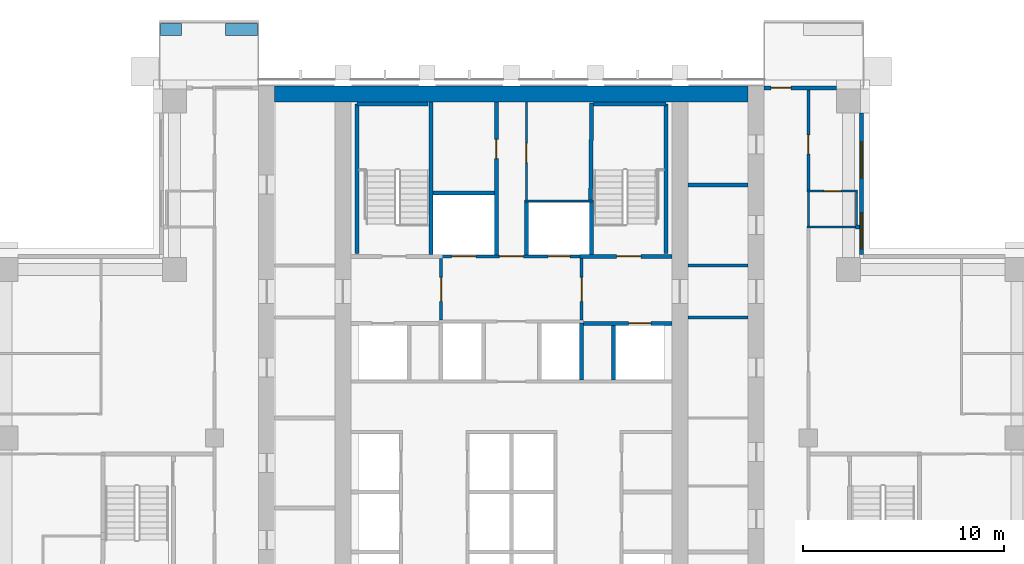
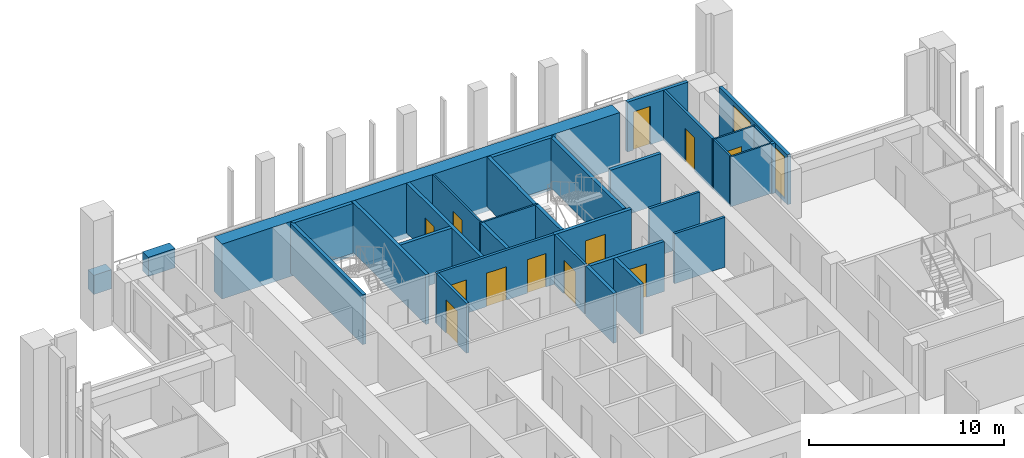
# One storey, part 13 of 19: 33 walls, 12 doors, 2 windows, 14 openings.
"""IFC4 building model written with IfcOpenShell, lengths in metres."""

from ifc_helpers import new_model, si_unit, direction, frame, frame_2d, origin, place, context, subcontext, project, spatial, rectangle, extrude, material, layer, layer_set, type_object, element, fill, save


model = new_model("IFC4")

# Units and contexts
model_context = context("Model", 3, precision=1e-05, world=origin(), true_north=direction((0.0, 1.0)))
body_context = subcontext(model_context, "Body", "Model", "MODEL_VIEW")
ifc_project = project(units=[si_unit("LENGTHUNIT", "METRE"), si_unit("AREAUNIT", "SQUARE_METRE"), si_unit("VOLUMEUNIT", "CUBIC_METRE"), si_unit("PLANEANGLEUNIT", "RADIAN"), si_unit("MASSUNIT", "GRAM", prefix="KILO")], contexts=[model_context])

# Site, building, storey
site_placement = place(None, origin())
site = spatial("IfcSite", under=ifc_project, at=site_placement, CompositionType="ELEMENT")
building_placement = place(site_placement, origin())
building = spatial("IfcBuilding", under=site, at=building_placement, Name="Vermilion Ogive Tower", CompositionType="ELEMENT")
storey_placement = place(building_placement, frame((0.0, 0.0, 90.75)))
storey = spatial("IfcBuildingStorey", under=building, at=storey_placement, Name="L22", CompositionType="ELEMENT", Elevation=90.75)

# Walls
ifc_material_1 = material(Name="Concrete B80", Category="concrete")
ifc_layer_1 = layer(ifc_material_1, 0.800048828125)
ifc_layer_set_1 = layer_set([ifc_layer_1], Name="Core wall 800 B80")
wall_type_1 = type_object("IfcWallType", Name="Core wall 800 B80", PredefinedType="SHEAR", material=ifc_layer_set_1)
wall_1_placement = place(storey_placement, frame((-11.800048828125, 21.35009765625, -0.320068359375), z_axis=(0.0, 0.0, 1.0), x_axis=(1.0, 0.0, 0.0)))
element("IfcWall", 1, at=wall_1_placement, inside=storey, type_object=wall_type_1, Name="L22-CORE-N", PredefinedType="SHEAR", context=body_context, shape_type="SweptSolid", body=[
    extrude(rectangle(XDim=23.60009765625, YDim=0.800048828125, at=frame_2d((11.800048828125, 0.0))), origin(), (0.0, 0.0, 1.0), 3.449951171875),
])
ifc_material_2 = material(Name="Gypsum board partition on steel studs", Category="steel")
ifc_layer_2 = layer(ifc_material_2, 0.10009765625)
ifc_layer_set_2 = layer_set([ifc_layer_2], Name="Partition 100 bath")
wall_type_2 = type_object("IfcWallType", Name="Partition 100 bath", PredefinedType="PARTITIONING", material=ifc_layer_set_2)
wall_2_placement = place(storey_placement, frame((14.72509765625, 14.699951171875, 0.0), z_axis=(0.0, 0.0, 1.0), x_axis=(1.0, 0.0, 0.0)))
element("IfcWall", 2, at=wall_2_placement, inside=storey, type_object=wall_type_2, Name="L22-W-W033", PredefinedType="PARTITIONING", context=body_context, shape_type="SweptSolid", body=[
    extrude(rectangle(XDim=2.52490234375, YDim=0.10009765625, at=frame_2d((1.262451171875, 0.0))), origin(), (0.0, 0.0, 1.0), 3.1298828125),
])

# Wall, opening, door
wall_3_placement = place(storey_placement, frame((14.72509765625, 16.5, 0.0), z_axis=(0.0, 0.0, 1.0), x_axis=(1.0, 0.0, 0.0)))
wall_3 = element("IfcWall", 3, at=wall_3_placement, inside=storey, type_object=wall_type_2, Name="L22-W-W036", PredefinedType="PARTITIONING", context=body_context, shape_type="SweptSolid", body=[
    extrude(rectangle(XDim=2.52490234375, YDim=0.10009765625, at=frame_2d((1.262451171875, 0.0))), origin(), (0.0, 0.0, 1.0), 3.1298828125),
])
opening_1_placement = place(wall_3_placement, frame((0.849853515625, 0.0, 0.0)))
opening_1 = element("IfcOpeningElement", 4, at=opening_1_placement, cuts=wall_3, Name="Opening D2G2021", PredefinedType="OPENING", context=body_context, shape_type="SweptSolid", body=[
    extrude(rectangle(XDim=0.85009765625, YDim=2.10009765625, at=frame_2d((0.425048828125, 1.050048828125))), frame((0.0, 0.06005859375, 0.0), z_axis=(0.0, -1.0, 0.0), x_axis=(1.0, 0.0, 0.0)), (0.0, 0.0, 1.0), 0.1201171875),
])
ifc_material_3 = material(Name="Timber door leaf", Category="wood")
door_type_1 = type_object("IfcDoorType", Name="Bath door 850 x 2100 FD30", OperationType="SINGLE_SWING_LEFT", PredefinedType="DOOR", material=ifc_material_3)
door_1_placement = place(opening_1_placement, origin())
door_1 = element("IfcDoor", 5, at=door_1_placement, inside=storey, type_object=door_type_1, Name="L22-D-D021", OperationType="SINGLE_SWING_RIGHT", OverallHeight=2.10009765625, OverallWidth=0.85009765625, PredefinedType="DOOR", context=body_context, shape_type="SweptSolid", body=[
    extrude(rectangle(XDim=0.85009765625, YDim=2.10009765625, at=frame_2d((0.425048828125, 1.050048828125))), frame((0.0, 0.02490234375, 0.0), z_axis=(0.0, -1.0, 0.0), x_axis=(1.0, 0.0, 0.0)), (0.0, 0.0, 1.0), 0.050048828125),
])
fill(opening_1, door_1)

# Walls
wall_4_placement = place(storey_placement, frame((14.800048828125, 14.75, 0.0), z_axis=(0.0, 0.0, 1.0), x_axis=(0.0, 1.0, 0.0)))
element("IfcWall", 6, at=wall_4_placement, inside=storey, type_object=wall_type_2, Name="L22-W-W059", PredefinedType="PARTITIONING", context=body_context, shape_type="SweptSolid", body=[
    extrude(rectangle(XDim=1.699951171875, YDim=0.10009765625, at=frame_2d((0.85009765625, 0.0))), origin(), (0.0, 0.0, 1.0), 3.1298828125),
])
wall_5_placement = place(storey_placement, frame((17.199951171875, 14.800048828125, 0.0), z_axis=(0.0, 0.0, 1.0), x_axis=(0.0, 1.0, 0.0)))
element("IfcWall", 7, at=wall_5_placement, inside=storey, type_object=wall_type_2, Name="L22-W-W062", PredefinedType="PARTITIONING", context=body_context, shape_type="SweptSolid", body=[
    extrude(rectangle(XDim=1.64990234375, YDim=0.10009765625, at=frame_2d((0.824951171875, 0.0))), origin(), (0.0, 0.0, 1.0), 3.1298828125),
])
wall_6_placement = place(storey_placement, frame((0.64990234375, 16.0, 0.0), z_axis=(0.0, 0.0, 1.0), x_axis=(1.0, 0.0, 0.0)))
element("IfcWall", 8, at=wall_6_placement, inside=storey, type_object=wall_type_2, Name="L22-CK-W-W020", PredefinedType="PARTITIONING", context=body_context, shape_type="SweptSolid", body=[
    extrude(rectangle(XDim=3.4501953125, YDim=0.10009765625, at=frame_2d((1.72509765625, 0.0))), origin(), (0.0, 0.0, 1.0), 3.1298828125),
])

# Wall, opening, door
wall_7_placement = place(storey_placement, frame((0.75, 16.050048828125, 0.0), z_axis=(0.0, 0.0, 1.0), x_axis=(0.0, 1.0, 0.0)))
wall_7 = element("IfcWall", 9, at=wall_7_placement, inside=storey, type_object=wall_type_2, Name="L22-CK-W-W032", PredefinedType="PARTITIONING", context=body_context, shape_type="SweptSolid", body=[
    extrude(rectangle(XDim=4.89892578125, YDim=0.10009765625, at=frame_2d((2.449462890625, 0.0))), origin(), (0.0, 0.0, 1.0), 3.1298828125),
])
opening_2_placement = place(wall_7_placement, frame((1.875, 0.0, 0.0)))
opening_2 = element("IfcOpeningElement", 10, at=opening_2_placement, cuts=wall_7, Name="Opening DAA169", PredefinedType="OPENING", context=body_context, shape_type="SweptSolid", body=[
    extrude(rectangle(XDim=0.949951171875, YDim=2.10009765625, at=frame_2d((0.47509765625, 1.050048828125))), frame((0.0, 0.06005859375, 0.0), z_axis=(0.0, -1.0, 0.0), x_axis=(1.0, 0.0, 0.0)), (0.0, 0.0, 1.0), 0.1201171875),
])
ifc_material_4 = material(Name="Timber door leaf", Category="wood")
door_type_2 = type_object("IfcDoorType", Name="Service door 950 x 2100 FD60", OperationType="SINGLE_SWING_LEFT", PredefinedType="DOOR", material=ifc_material_4)
door_2_placement = place(opening_2_placement, origin())
door_2 = element("IfcDoor", 11, at=door_2_placement, inside=storey, type_object=door_type_2, Name="L22-CK-D-D021", OperationType="SINGLE_SWING_LEFT", OverallHeight=2.10009765625, OverallWidth=0.949951171875, PredefinedType="DOOR", context=body_context, shape_type="SweptSolid", body=[
    extrude(rectangle(XDim=0.949951171875, YDim=2.10009765625, at=frame_2d((0.47509765625, 1.050048828125))), frame((0.0, 0.02490234375, 0.0), z_axis=(0.0, -1.0, 0.0), x_axis=(1.0, 0.0, 0.0)), (0.0, 0.0, 1.0), 0.050048828125),
])
fill(opening_2, door_2)

ifc_material_5 = material(Name="Gypsum board partition on steel studs", Category="steel")
ifc_layer_3 = layer(ifc_material_5, 0.14990234375)
ifc_layer_set_3 = layer_set([ifc_layer_3], Name="Partition 150 corridor")
wall_type_3 = type_object("IfcWallType", Name="Partition 150 corridor", PredefinedType="PARTITIONING", material=ifc_layer_set_3)
wall_8_placement = place(storey_placement, frame((14.800048828125, 16.550048828125, 0.0), z_axis=(0.0, 0.0, 1.0), x_axis=(0.0, 1.0, 0.0)))
wall_8 = element("IfcWall", 12, at=wall_8_placement, inside=storey, type_object=wall_type_3, Name="L22-W-W060", PredefinedType="PARTITIONING", context=body_context, shape_type="SweptSolid", body=[
    extrude(rectangle(XDim=5.0, YDim=0.14990234375, at=frame_2d((2.5, 0.0))), origin(), (0.0, 0.0, 1.0), 3.1298828125),
])
opening_3_placement = place(wall_8_placement, frame((1.800048828125, 0.0, 0.0)))
opening_3 = element("IfcOpeningElement", 13, at=opening_3_placement, cuts=wall_8, Name="Opening D2G2020", PredefinedType="OPENING", context=body_context, shape_type="SweptSolid", body=[
    extrude(rectangle(XDim=0.949951171875, YDim=2.10009765625, at=frame_2d((0.47509765625, 1.050048828125))), frame((0.0, 0.0849609375, 0.0), z_axis=(0.0, -1.0, 0.0), x_axis=(1.0, 0.0, 0.0)), (0.0, 0.0, 1.0), 0.169921875),
])
ifc_material_6 = material(Name="Timber door leaf", Category="wood")
door_type_3 = type_object("IfcDoorType", Name="Unit door 950 x 2100 FD30S", OperationType="SINGLE_SWING_LEFT", PredefinedType="DOOR", material=ifc_material_6)
door_3_placement = place(opening_3_placement, origin())
door_3 = element("IfcDoor", 14, at=door_3_placement, inside=storey, type_object=door_type_3, Name="L22-D-D020", OperationType="SINGLE_SWING_LEFT", OverallHeight=2.10009765625, OverallWidth=0.949951171875, PredefinedType="DOOR", context=body_context, shape_type="SweptSolid", body=[
    extrude(rectangle(XDim=0.949951171875, YDim=2.10009765625, at=frame_2d((0.47509765625, 1.050048828125))), frame((0.0, 0.02490234375, 0.0), z_axis=(0.0, -1.0, 0.0), x_axis=(1.0, 0.0, 0.0)), (0.0, 0.0, 1.0), 0.050048828125),
])
fill(opening_3, door_3)

# Wall, openings, doors
wall_9_placement = place(storey_placement, frame((-3.574951171875, 13.25, 0.0), z_axis=(0.0, 0.0, 1.0), x_axis=(1.0, 0.0, 0.0)))
wall_9 = element("IfcWall", 15, at=wall_9_placement, inside=storey, type_object=wall_type_3, Name="L22-CK-W-W018", PredefinedType="PARTITIONING", context=body_context, shape_type="SweptSolid", body=[
    extrude(rectangle(XDim=7.14990234375, YDim=0.14990234375, at=frame_2d((3.574951171875, 0.0))), origin(), (0.0, 0.0, 1.0), 3.1298828125),
])
opening_4_placement = place(wall_9_placement, frame((0.599853515625, 0.0, 0.0)))
opening_4 = element("IfcOpeningElement", 16, at=opening_4_placement, cuts=wall_9, Name="Opening DAA183", PredefinedType="OPENING", context=body_context, shape_type="SweptSolid", body=[
    extrude(rectangle(XDim=1.199951171875, YDim=2.10009765625, at=frame_2d((0.60009765625, 1.050048828125))), frame((0.0, 0.0849609375, 0.0), z_axis=(0.0, -1.0, 0.0), x_axis=(1.0, 0.0, 0.0)), (0.0, 0.0, 1.0), 0.169921875),
])
opening_5_placement = place(wall_9_placement, frame((5.39990234375, 0.0, 0.0)))
opening_5 = element("IfcOpeningElement", 17, at=opening_5_placement, cuts=wall_9, Name="Opening DAA174", PredefinedType="OPENING", context=body_context, shape_type="SweptSolid", body=[
    extrude(rectangle(XDim=1.10009765625, YDim=2.10009765625, at=frame_2d((0.550048828125, 1.050048828125))), frame((0.0, 0.0849609375, 0.0), z_axis=(0.0, -1.0, 0.0), x_axis=(1.0, 0.0, 0.0)), (0.0, 0.0, 1.0), 0.169921875),
])
opening_6_placement = place(wall_9_placement, frame((2.974853515625, 0.0, 0.0)))
opening_6 = element("IfcOpeningElement", 18, at=opening_6_placement, cuts=wall_9, Name="Opening DAA165", PredefinedType="OPENING", context=body_context, shape_type="SweptSolid", body=[
    extrude(rectangle(XDim=1.199951171875, YDim=2.10009765625, at=frame_2d((0.60009765625, 1.050048828125))), frame((0.0, 0.0849609375, 0.0), z_axis=(0.0, -1.0, 0.0), x_axis=(1.0, 0.0, 0.0)), (0.0, 0.0, 1.0), 0.169921875),
])
ifc_material_7 = material(Name="Stainless steel", Category="steel")
door_type_4 = type_object("IfcDoorType", Name="Lift landing door 1100 x 2100", OperationType="SLIDING_TO_LEFT", PredefinedType="DOOR", material=ifc_material_7)
door_4_placement = place(opening_5_placement, origin())
door_4 = element("IfcDoor", 19, at=door_4_placement, inside=storey, type_object=door_type_4, Name="L22-CK-D-D018", OperationType="SLIDING_TO_LEFT", OverallHeight=2.10009765625, OverallWidth=1.10009765625, PredefinedType="DOOR", context=body_context, shape_type="SweptSolid", body=[
    extrude(rectangle(XDim=1.10009765625, YDim=2.10009765625, at=frame_2d((0.550048828125, 1.050048828125))), frame((0.0, 0.02490234375, 0.0), z_axis=(0.0, -1.0, 0.0), x_axis=(1.0, 0.0, 0.0)), (0.0, 0.0, 1.0), 0.050048828125),
])
fill(opening_5, door_4)
ifc_material_8 = material(Name="Stainless steel", Category="steel")
door_type_5 = type_object("IfcDoorType", Name="Lift landing door 1200 x 2100", OperationType="SLIDING_TO_LEFT", PredefinedType="DOOR", material=ifc_material_8)
door_5_placement = place(opening_4_placement, origin())
door_5 = element("IfcDoor", 20, at=door_5_placement, inside=storey, type_object=door_type_5, Name="L22-CK-D-D017", OperationType="SLIDING_TO_RIGHT", OverallHeight=2.10009765625, OverallWidth=1.199951171875, PredefinedType="DOOR", context=body_context, shape_type="SweptSolid", body=[
    extrude(rectangle(XDim=1.199951171875, YDim=2.10009765625, at=frame_2d((0.60009765625, 1.050048828125))), frame((0.0, 0.02490234375, 0.0), z_axis=(0.0, -1.0, 0.0), x_axis=(1.0, 0.0, 0.0)), (0.0, 0.0, 1.0), 0.050048828125),
])
fill(opening_4, door_5)
ifc_material_9 = material(Name="Timber door leaf", Category="wood")
door_type_6 = type_object("IfcDoorType", Name="Service door 1200 x 2100 FD60", OperationType="SINGLE_SWING_LEFT", PredefinedType="DOOR", material=ifc_material_9)
door_6_placement = place(opening_6_placement, origin())
door_6 = element("IfcDoor", 21, at=door_6_placement, inside=storey, type_object=door_type_6, Name="L22-CK-D-D019", OperationType="SINGLE_SWING_RIGHT", OverallHeight=2.10009765625, OverallWidth=1.199951171875, PredefinedType="DOOR", context=body_context, shape_type="SweptSolid", body=[
    extrude(rectangle(XDim=1.199951171875, YDim=2.10009765625, at=frame_2d((0.60009765625, 1.050048828125))), frame((0.0, 0.02490234375, 0.0), z_axis=(0.0, -1.0, 0.0), x_axis=(1.0, 0.0, 0.0)), (0.0, 0.0, 1.0), 0.050048828125),
])
fill(opening_6, door_6)

# Wall, opening, door
wall_10_placement = place(storey_placement, frame((-3.5, 10.074951171875, 0.0), z_axis=(0.0, 0.0, 1.0), x_axis=(0.0, 1.0, 0.0)))
wall_10 = element("IfcWall", 22, at=wall_10_placement, inside=storey, type_object=wall_type_3, Name="L22-CK-W-W026", PredefinedType="PARTITIONING", context=body_context, shape_type="SweptSolid", body=[
    extrude(rectangle(XDim=3.074951171875, YDim=0.14990234375, at=frame_2d((1.53759765625, 0.0))), origin(), (0.0, 0.0, 1.0), 3.1298828125),
])
opening_7_placement = place(wall_10_placement, frame((0.925048828125, 0.0, 0.0)))
opening_7 = element("IfcOpeningElement", 23, at=opening_7_placement, cuts=wall_10, Name="Opening DAA161", PredefinedType="OPENING", context=body_context, shape_type="SweptSolid", body=[
    extrude(rectangle(XDim=1.199951171875, YDim=2.10009765625, at=frame_2d((0.60009765625, 1.050048828125))), frame((0.0, 0.0849609375, 0.0), z_axis=(0.0, -1.0, 0.0), x_axis=(1.0, 0.0, 0.0)), (0.0, 0.0, 1.0), 0.169921875),
])
ifc_material_10 = material(Name="Timber door leaf", Category="wood")
door_type_7 = type_object("IfcDoorType", Name="Lobby door 1200 x 2100 FD60S", OperationType="SINGLE_SWING_LEFT", PredefinedType="DOOR", material=ifc_material_10)
door_7_placement = place(opening_7_placement, origin())
door_7 = element("IfcDoor", 24, at=door_7_placement, inside=storey, type_object=door_type_7, Name="L22-CK-D-D022", OperationType="SINGLE_SWING_RIGHT", OverallHeight=2.10009765625, OverallWidth=1.199951171875, PredefinedType="DOOR", context=body_context, shape_type="SweptSolid", body=[
    extrude(rectangle(XDim=1.199951171875, YDim=2.10009765625, at=frame_2d((0.60009765625, 1.050048828125))), frame((0.0, 0.02490234375, 0.0), z_axis=(0.0, -1.0, 0.0), x_axis=(1.0, 0.0, 0.0)), (0.0, 0.0, 1.0), 0.050048828125),
])
fill(opening_7, door_7)

wall_11_placement = place(storey_placement, frame((3.5, 10.074951171875, 0.0), z_axis=(0.0, 0.0, 1.0), x_axis=(0.0, 1.0, 0.0)))
wall_11 = element("IfcWall", 25, at=wall_11_placement, inside=storey, type_object=wall_type_3, Name="L22-CK-W-W036", PredefinedType="PARTITIONING", context=body_context, shape_type="SweptSolid", body=[
    extrude(rectangle(XDim=3.074951171875, YDim=0.14990234375, at=frame_2d((1.53759765625, 0.0))), origin(), (0.0, 0.0, 1.0), 3.1298828125),
])
opening_8_placement = place(wall_11_placement, frame((0.925048828125, 0.0, 0.0)))
opening_8 = element("IfcOpeningElement", 26, at=opening_8_placement, cuts=wall_11, Name="Opening DAA162", PredefinedType="OPENING", context=body_context, shape_type="SweptSolid", body=[
    extrude(rectangle(XDim=1.199951171875, YDim=2.10009765625, at=frame_2d((0.60009765625, 1.050048828125))), frame((0.0, 0.0849609375, 0.0), z_axis=(0.0, -1.0, 0.0), x_axis=(1.0, 0.0, 0.0)), (0.0, 0.0, 1.0), 0.169921875),
])
door_8_placement = place(opening_8_placement, origin())
door_8 = element("IfcDoor", 27, at=door_8_placement, inside=storey, type_object=door_type_7, Name="L22-CK-D-D023", OperationType="SINGLE_SWING_LEFT", OverallHeight=2.10009765625, OverallWidth=1.199951171875, PredefinedType="DOOR", context=body_context, shape_type="SweptSolid", body=[
    extrude(rectangle(XDim=1.199951171875, YDim=2.10009765625, at=frame_2d((0.60009765625, 1.050048828125))), frame((0.0, 0.02490234375, 0.0), z_axis=(0.0, -1.0, 0.0), x_axis=(1.0, 0.0, 0.0)), (0.0, 0.0, 1.0), 0.050048828125),
])
fill(opening_8, door_8)

# Walls
for number, where, z_axis, x_axis, name in (
    (28, (8.801025390625, 10.199951171875, 0.0), (0.0, 0.0, 1.0), (1.0, 0.0, 0.0), "L22-CKE-W-W004"),
    (29, (8.801025390625, 12.800048828125, 0.0), (0.0, 0.0, 1.0), (1.0, 0.0, 0.0), "L22-CKE-W-W005"),
):
    element("IfcWall", number, at=place(storey_placement, frame(where, z_axis=z_axis, x_axis=x_axis)), inside=storey, type_object=wall_type_3, Name=name, PredefinedType="PARTITIONING", context=body_context, shape_type="SweptSolid", body=[
        extrude(rectangle(XDim=2.998046875, YDim=0.14990234375, at=frame_2d((1.4990234375, 0.0))), origin(), (0.0, 0.0, 1.0), 3.1298828125),
    ])
ifc_material_11 = material(Name="Gypsum board partition on steel studs", Category="steel")
ifc_layer_4 = layer(ifc_material_11, 0.199951171875)
ifc_layer_set_4 = layer_set([ifc_layer_4], Name="Partition 200 party")
wall_type_4 = type_object("IfcWallType", Name="Partition 200 party", PredefinedType="PARTITIONING", material=ifc_layer_set_4)
wall_12_placement = place(storey_placement, frame((17.14990234375, 14.699951171875, 0.0), z_axis=(0.0, 0.0, 1.0), x_axis=(1.0, 0.0, 0.0)))
element("IfcWall", 30, at=wall_12_placement, inside=storey, type_object=wall_type_4, Name="L22-W-W034", PredefinedType="PARTITIONING", context=body_context, shape_type="SweptSolid", body=[
    extrude(rectangle(XDim=0.2001953125, YDim=0.199951171875, at=frame_2d((0.10009765625, 0.0))), origin(), (0.0, 0.0, 1.0), 3.1298828125),
])

# Wall, opening, door
wall_13_placement = place(storey_placement, frame((3.60009765625, 9.89990234375, 0.0), z_axis=(0.0, 0.0, 1.0), x_axis=(1.0, 0.0, 0.0)))
wall_13 = element("IfcWall", 31, at=wall_13_placement, inside=storey, type_object=wall_type_4, Name="L22-CK-W-W015", PredefinedType="PARTITIONING", context=body_context, shape_type="SweptSolid", body=[
    extrude(rectangle(XDim=4.39892578125, YDim=0.199951171875, at=frame_2d((2.199462890625, 0.0))), origin(), (0.0, 0.0, 1.0), 3.1298828125),
])
opening_9_placement = place(wall_13_placement, frame((2.25, 0.0, 0.0)))
opening_9 = element("IfcOpeningElement", 32, at=opening_9_placement, cuts=wall_13, Name="Opening DAA173", PredefinedType="OPENING", context=body_context, shape_type="SweptSolid", body=[
    extrude(rectangle(XDim=1.10009765625, YDim=2.10009765625, at=frame_2d((0.550048828125, 1.050048828125))), frame((0.0, 0.10986328125, 0.0), z_axis=(0.0, -1.0, 0.0), x_axis=(1.0, 0.0, 0.0)), (0.0, 0.0, 1.0), 0.219970703125),
])
door_9_placement = place(opening_9_placement, origin())
door_9 = element("IfcDoor", 33, at=door_9_placement, inside=storey, type_object=door_type_4, Name="L22-CK-D-D014", OperationType="SLIDING_TO_LEFT", OverallHeight=2.10009765625, OverallWidth=1.10009765625, PredefinedType="DOOR", context=body_context, shape_type="SweptSolid", body=[
    extrude(rectangle(XDim=1.10009765625, YDim=2.10009765625, at=frame_2d((0.550048828125, 1.050048828125))), frame((0.0, 0.02490234375, 0.0), z_axis=(0.0, -1.0, 0.0), x_axis=(1.0, 0.0, 0.0)), (0.0, 0.0, 1.0), 0.050048828125),
])
fill(opening_9, door_9)

# Wall
wall_14_placement = place(storey_placement, frame((-3.89990234375, 16.39990234375, 0.0), z_axis=(0.0, 0.0, 1.0), x_axis=(1.0, 0.0, 0.0)))
element("IfcWall", 34, at=wall_14_placement, inside=storey, type_object=wall_type_4, Name="L22-CK-W-W021", PredefinedType="PARTITIONING", context=body_context, shape_type="SweptSolid", body=[
    extrude(rectangle(XDim=3.0498046875, YDim=0.199951171875, at=frame_2d((1.52490234375, 0.0))), origin(), (0.0, 0.0, 1.0), 3.1298828125),
])

# Wall, opening, door
wall_15_placement = place(storey_placement, frame((-0.75, 13.324951171875, 0.0), z_axis=(0.0, 0.0, 1.0), x_axis=(0.0, 1.0, 0.0)))
wall_15 = element("IfcWall", 35, at=wall_15_placement, inside=storey, type_object=wall_type_4, Name="L22-CK-W-W029", PredefinedType="PARTITIONING", context=body_context, shape_type="SweptSolid", body=[
    extrude(rectangle(XDim=7.6240234375, YDim=0.199951171875, at=frame_2d((3.81201171875, 0.0))), origin(), (0.0, 0.0, 1.0), 3.1298828125),
])
opening_10_placement = place(wall_15_placement, frame((4.800048828125, 0.0, 0.0)))
opening_10 = element("IfcOpeningElement", 36, at=opening_10_placement, cuts=wall_15, Name="Opening DAA168", PredefinedType="OPENING", context=body_context, shape_type="SweptSolid", body=[
    extrude(rectangle(XDim=0.949951171875, YDim=2.10009765625, at=frame_2d((0.47509765625, 1.050048828125))), frame((0.0, 0.10986328125, 0.0), z_axis=(0.0, -1.0, 0.0), x_axis=(1.0, 0.0, 0.0)), (0.0, 0.0, 1.0), 0.219970703125),
])
door_10_placement = place(opening_10_placement, origin())
door_10 = element("IfcDoor", 37, at=door_10_placement, inside=storey, type_object=door_type_2, Name="L22-CK-D-D020", OperationType="SINGLE_SWING_RIGHT", OverallHeight=2.10009765625, OverallWidth=0.949951171875, PredefinedType="DOOR", context=body_context, shape_type="SweptSolid", body=[
    extrude(rectangle(XDim=0.949951171875, YDim=2.10009765625, at=frame_2d((0.47509765625, 1.050048828125))), frame((0.0, 0.02490234375, 0.0), z_axis=(0.0, -1.0, 0.0), x_axis=(1.0, 0.0, 0.0)), (0.0, 0.0, 1.0), 0.050048828125),
])
fill(opening_10, door_10)

# Walls
wall_16_placement = place(storey_placement, frame((0.75, 13.324951171875, 0.0), z_axis=(0.0, 0.0, 1.0), x_axis=(0.0, 1.0, 0.0)))
element("IfcWall", 38, at=wall_16_placement, inside=storey, type_object=wall_type_4, Name="L22-CK-W-W031", PredefinedType="PARTITIONING", context=body_context, shape_type="SweptSolid", body=[
    extrude(rectangle(XDim=2.625, YDim=0.199951171875, at=frame_2d((1.3125, 0.0))), origin(), (0.0, 0.0, 1.0), 3.1298828125),
])
wall_17_placement = place(storey_placement, frame((3.5, 7.074951171875, 0.0), z_axis=(0.0, 0.0, 1.0), x_axis=(0.0, 1.0, 0.0)))
element("IfcWall", 39, at=wall_17_placement, inside=storey, type_object=wall_type_4, Name="L22-CK-W-W035", PredefinedType="PARTITIONING", context=body_context, shape_type="SweptSolid", body=[
    extrude(rectangle(XDim=2.85009765625, YDim=0.199951171875, at=frame_2d((1.425048828125, 0.0))), origin(), (0.0, 0.0, 1.0), 3.1298828125),
])
wall_18_placement = place(storey_placement, frame((5.10009765625, 7.074951171875, 0.0), z_axis=(0.0, 0.0, 1.0), x_axis=(0.0, 1.0, 0.0)))
element("IfcWall", 40, at=wall_18_placement, inside=storey, type_object=wall_type_4, Name="L22-CK-W-W039", PredefinedType="PARTITIONING", context=body_context, shape_type="SweptSolid", body=[
    extrude(rectangle(XDim=2.72509765625, YDim=0.199951171875, at=frame_2d((1.362548828125, 0.0))), origin(), (0.0, 0.0, 1.0), 3.1298828125),
])
wall_19_placement = place(storey_placement, frame((8.801025390625, 16.800048828125, 0.0), z_axis=(0.0, 0.0, 1.0), x_axis=(1.0, 0.0, 0.0)))
element("IfcWall", 41, at=wall_19_placement, inside=storey, type_object=wall_type_4, Name="L22-CKE-W-W006", PredefinedType="PARTITIONING", context=body_context, shape_type="SweptSolid", body=[
    extrude(rectangle(XDim=2.998046875, YDim=0.199951171875, at=frame_2d((1.4990234375, 0.0))), origin(), (0.0, 0.0, 1.0), 3.1298828125),
])

# Wall, opening, door
ifc_material_12 = material(Name="Concrete B60", Category="concrete")
ifc_layer_5 = layer(ifc_material_12, 0.199951171875)
ifc_layer_set_5 = layer_set([ifc_layer_5], Name="Stair shaft wall 200 Concrete B60")
wall_type_5 = type_object("IfcWallType", Name="Stair shaft wall 200 Concrete B60", PredefinedType="SOLIDWALL", material=ifc_layer_set_5)
wall_20_placement = place(storey_placement, frame((3.425048828125, 13.25, 0.0), z_axis=(0.0, 0.0, 1.0), x_axis=(1.0, 0.0, 0.0)))
wall_20 = element("IfcWall", 42, at=wall_20_placement, inside=storey, type_object=wall_type_5, Name="L22-CK-W-W019", PredefinedType="SOLIDWALL", context=body_context, shape_type="SweptSolid", body=[
    extrude(rectangle(XDim=4.573974609375, YDim=0.199951171875, at=frame_2d((2.287109375, 0.0))), origin(), (0.0, 0.0, 1.0), 3.1298828125),
])
opening_11_placement = place(wall_20_placement, frame((1.824951171875, 0.0, 0.0)))
opening_11 = element("IfcOpeningElement", 43, at=opening_11_placement, cuts=wall_20, Name="Opening DAA171", PredefinedType="OPENING", context=body_context, shape_type="SweptSolid", body=[
    extrude(rectangle(XDim=1.199951171875, YDim=2.10009765625, at=frame_2d((0.60009765625, 1.050048828125))), frame((0.0, 0.10986328125, 0.0), z_axis=(0.0, -1.0, 0.0), x_axis=(1.0, 0.0, 0.0)), (0.0, 0.0, 1.0), 0.219970703125),
])
ifc_material_13 = material(Name="Timber door leaf", Category="wood")
door_type_8 = type_object("IfcDoorType", Name="Stair door 1200 x 2100 FD60S", OperationType="SINGLE_SWING_LEFT", PredefinedType="DOOR", material=ifc_material_13)
door_11_placement = place(opening_11_placement, origin())
door_11 = element("IfcDoor", 44, at=door_11_placement, inside=storey, type_object=door_type_8, Name="L22-CK-D-D013", OperationType="SINGLE_SWING_RIGHT", OverallHeight=2.10009765625, OverallWidth=1.199951171875, PredefinedType="DOOR", context=body_context, shape_type="SweptSolid", body=[
    extrude(rectangle(XDim=1.199951171875, YDim=2.10009765625, at=frame_2d((0.60009765625, 1.050048828125))), frame((0.0, 0.02490234375, 0.0), z_axis=(0.0, -1.0, 0.0), x_axis=(1.0, 0.0, 0.0)), (0.0, 0.0, 1.0), 0.050048828125),
])
fill(opening_11, door_11)

# Walls
wall_21_placement = place(storey_placement, frame((-4.0, 13.35009765625, 0.0), z_axis=(0.0, 0.0, 1.0), x_axis=(0.0, 1.0, 0.0)))
element("IfcWall", 45, at=wall_21_placement, inside=storey, type_object=wall_type_5, Name="L22-CK-W-W024", PredefinedType="SOLIDWALL", context=body_context, shape_type="SweptSolid", body=[
    extrude(rectangle(XDim=7.598876953125, YDim=0.199951171875, at=frame_2d((3.79931640625, 0.0))), origin(), (0.0, 0.0, 1.0), 3.1298828125),
])
wall_22_placement = place(storey_placement, frame((4.0, 13.35009765625, 0.0), z_axis=(0.0, 0.0, 1.0), x_axis=(0.0, 1.0, 0.0)))
element("IfcWall", 46, at=wall_22_placement, inside=storey, type_object=wall_type_5, Name="L22-CK-W-W037", PredefinedType="SOLIDWALL", context=body_context, shape_type="SweptSolid", body=[
    extrude(rectangle(XDim=2.599853515625, YDim=0.199951171875, at=frame_2d((1.2998046875, 0.0))), origin(), (0.0, 0.0, 1.0), 3.1298828125),
])
wall_23_placement = place(storey_placement, frame((3.949951171875, 16.050048828125, 0.0), z_axis=(0.0, 0.0, 1.0), x_axis=(0.01032118628, 0.999946735138, 0.0)))
element("IfcWall", 47, at=wall_23_placement, inside=storey, type_object=wall_type_5, Name="L22-CK-W-W038", PredefinedType="SOLIDWALL", context=body_context, shape_type="SweptSolid", body=[
    extrude(rectangle(XDim=4.84912109375, YDim=0.199951171875, at=frame_2d((2.424560546875, 0.0))), origin(), (0.0, 0.0, 1.0), 3.1298828125),
])
wall_24_placement = place(storey_placement, frame((-7.699951171875, 13.39990234375, 0.0), z_axis=(0.0, 0.0, 1.0), x_axis=(0.0, 1.0, 0.0)))
element("IfcWall", 48, at=wall_24_placement, inside=storey, type_object=wall_type_5, Name="L22-SW-R021-W1", PredefinedType="SOLIDWALL", context=body_context, shape_type="SweptSolid", body=[
    extrude(rectangle(XDim=7.4501953125, YDim=0.199951171875, at=frame_2d((3.72509765625, 0.0))), origin(), (0.0, 0.0, 1.0), 3.1298828125),
])
wall_25_placement = place(storey_placement, frame((-7.699951171875, 20.85009765625, 0.0), z_axis=(0.0, 0.0, 1.0), x_axis=(1.0, 0.0, 0.0)))
element("IfcWall", 49, at=wall_25_placement, inside=storey, type_object=wall_type_5, Name="L22-SW-R021-N1", PredefinedType="SOLIDWALL", context=body_context, shape_type="SweptSolid", body=[
    extrude(rectangle(XDim=3.550048828125, YDim=0.199951171875, at=frame_2d((1.77490234375, 0.0))), origin(), (0.0, 0.0, 1.0), 3.1298828125),
])
wall_26_placement = place(storey_placement, frame((7.699951171875, 13.39990234375, 0.0), z_axis=(0.0, 0.0, 1.0), x_axis=(0.0, 1.0, 0.0)))
element("IfcWall", 50, at=wall_26_placement, inside=storey, type_object=wall_type_5, Name="L22-SW-R025-E1", PredefinedType="SOLIDWALL", context=body_context, shape_type="SweptSolid", body=[
    extrude(rectangle(XDim=7.4501953125, YDim=0.199951171875, at=frame_2d((3.72509765625, 0.0))), origin(), (0.0, 0.0, 1.0), 3.1298828125),
])
wall_27_placement = place(storey_placement, frame((4.10009765625, 20.85009765625, 0.0), z_axis=(0.0, 0.0, 1.0), x_axis=(1.0, 0.0, 0.0)))
element("IfcWall", 51, at=wall_27_placement, inside=storey, type_object=wall_type_5, Name="L22-SW-R025-N1", PredefinedType="SOLIDWALL", context=body_context, shape_type="SweptSolid", body=[
    extrude(rectangle(XDim=3.599853515625, YDim=0.199951171875, at=frame_2d((1.7998046875, 0.0))), origin(), (0.0, 0.0, 1.0), 3.1298828125),
])
ifc_material_14 = material(Name="Concrete B40", Category="concrete")
ifc_layer_6 = layer(ifc_material_14, 0.60009765625)
ifc_layer_set_6 = layer_set([ifc_layer_6], Name="Structural planter")
wall_type_6 = type_object("IfcWallType", Name="Structural planter", PredefinedType="USERDEFINED", material=ifc_layer_set_6)
wall_28_placement = place(storey_placement, frame((-12.659912109375, 24.550048828125, -0.0400390625), z_axis=(0.0, 0.0, 1.0), x_axis=(-1.0, 0.0, 0.0)))
element("IfcWall", 52, at=wall_28_placement, inside=storey, type_object=wall_type_6, Name="Planter N201A1", ObjectType="PLANTER", PredefinedType="USERDEFINED", context=body_context, shape_type="SweptSolid", body=[
    extrude(rectangle(XDim=1.590087890625, YDim=0.60009765625, at=frame_2d((0.794921875, 0.0))), origin(), (0.0, 0.0, 1.0), 1.199951171875),
])
wall_29_placement = place(storey_placement, frame((-16.449951171875, 24.550048828125, -0.0400390625), z_axis=(0.0, 0.0, 1.0), x_axis=(-1.0, 0.0, 0.0)))
element("IfcWall", 53, at=wall_29_placement, inside=storey, type_object=wall_type_6, Name="Planter N201A2", ObjectType="PLANTER", PredefinedType="USERDEFINED", context=body_context, shape_type="SweptSolid", body=[
    extrude(rectangle(XDim=1.0400390625, YDim=0.60009765625, at=frame_2d((0.52001953125, 0.0))), origin(), (0.0, 0.0, 1.0), 1.199951171875),
])

# Wall, openings, windows
ifc_material_15 = material(Name="Aluminium window wall framing", Category="aluminium")
ifc_layer_7 = layer(ifc_material_15, 0.199951171875)
ifc_layer_set_7 = layer_set([ifc_layer_7], Name="Window wall")
wall_type_7 = type_object("IfcWallType", Name="Window wall", PredefinedType="STANDARD", material=ifc_layer_set_7)
wall_30_placement = place(storey_placement, frame((17.449951171875, 13.35009765625, 0.0), z_axis=(0.0, 0.0, 1.0), x_axis=(0.0, 1.0, 0.0)))
wall_30 = element("IfcWall", 54, at=wall_30_placement, inside=storey, type_object=wall_type_7, Name="Window wall X41", PredefinedType="STANDARD", context=body_context, shape_type="SweptSolid", body=[
    extrude(rectangle(XDim=7.0498046875, YDim=0.199951171875, at=frame_2d((3.52490234375, 0.0))), origin(), (0.0, 0.0, 1.0), 3.1298828125),
])
opening_12_placement = place(wall_30_placement, frame((0.27490234375, 0.0, 0.199951171875)))
opening_12 = element("IfcOpeningElement", 55, at=opening_12_placement, cuts=wall_30, Name="Opening W1-X403", PredefinedType="OPENING", context=body_context, shape_type="SweptSolid", body=[
    extrude(rectangle(XDim=1.800048828125, YDim=2.64990234375, at=frame_2d((0.89990234375, 1.324951171875))), frame((0.0, 0.10986328125, 0.0), z_axis=(0.0, -1.0, 0.0), x_axis=(1.0, 0.0, 0.0)), (0.0, 0.0, 1.0), 0.219970703125),
])
opening_13_placement = place(wall_30_placement, frame((3.800048828125, 0.0, 0.199951171875)))
opening_13 = element("IfcOpeningElement", 56, at=opening_13_placement, cuts=wall_30, Name="Opening W1-X404", PredefinedType="OPENING", context=body_context, shape_type="SweptSolid", body=[
    extrude(rectangle(XDim=1.800048828125, YDim=2.64990234375, at=frame_2d((0.89990234375, 1.324951171875))), frame((0.0, 0.10986328125, 0.0), z_axis=(0.0, -1.0, 0.0), x_axis=(1.0, 0.0, 0.0)), (0.0, 0.0, 1.0), 0.219970703125),
])
ifc_material_16 = material(Name="Aluminium framed double glazing", Category="aluminium")
window_type = type_object("IfcWindowType", Name="Guest window W1", PartitioningType="SINGLE_PANEL", PredefinedType="WINDOW", material=ifc_material_16)
window_1_placement = place(opening_12_placement, origin())
window_1 = element("IfcWindow", 57, at=window_1_placement, inside=storey, type_object=window_type, Name="Window X403", OverallHeight=2.64990234375, OverallWidth=1.800048828125, PartitioningType="SINGLE_PANEL", PredefinedType="WINDOW", context=body_context, shape_type="SweptSolid", body=[
    extrude(rectangle(XDim=1.800048828125, YDim=2.64990234375, at=frame_2d((0.89990234375, 1.324951171875))), frame((0.0, 0.030029296875, 0.0), z_axis=(0.0, -1.0, 0.0), x_axis=(1.0, 0.0, 0.0)), (0.0, 0.0, 1.0), 0.06005859375),
])
fill(opening_12, window_1)
window_2_placement = place(opening_13_placement, origin())
window_2 = element("IfcWindow", 58, at=window_2_placement, inside=storey, type_object=window_type, Name="Window X404", OverallHeight=2.64990234375, OverallWidth=1.800048828125, PartitioningType="SINGLE_PANEL", PredefinedType="WINDOW", context=body_context, shape_type="SweptSolid", body=[
    extrude(rectangle(XDim=1.800048828125, YDim=2.64990234375, at=frame_2d((0.89990234375, 1.324951171875))), frame((0.0, 0.030029296875, 0.0), z_axis=(0.0, -1.0, 0.0), x_axis=(1.0, 0.0, 0.0)), (0.0, 0.0, 1.0), 0.06005859375),
])
fill(opening_13, window_2)

# Wall, opening, door
wall_31_placement = place(storey_placement, frame((16.199951171875, 21.64990234375, 0.0), z_axis=(0.0, 0.0, 1.0), x_axis=(-1.0, 0.0, 0.0)))
wall_31 = element("IfcWall", 59, at=wall_31_placement, inside=storey, type_object=wall_type_7, Name="Window wall N11", PredefinedType="STANDARD", context=body_context, shape_type="SweptSolid", body=[
    extrude(rectangle(XDim=3.599853515625, YDim=0.199951171875, at=frame_2d((1.7998046875, 0.0))), origin(), (0.0, 0.0, 1.0), 3.1298828125),
])
opening_14_placement = place(wall_31_placement, frame((2.25, 0.0, 0.0)))
opening_14 = element("IfcOpeningElement", 60, at=opening_14_placement, cuts=wall_31, Name="Opening D1-N103", PredefinedType="OPENING", context=body_context, shape_type="SweptSolid", body=[
    extrude(rectangle(XDim=1.0, YDim=2.39990234375, at=frame_2d((0.5, 1.199951171875))), frame((0.0, 0.10986328125, 0.0), z_axis=(0.0, -1.0, 0.0), x_axis=(1.0, 0.0, 0.0)), (0.0, 0.0, 1.0), 0.219970703125),
])
ifc_material_17 = material(Name="Aluminium framed glazed door", Category="aluminium")
door_type_9 = type_object("IfcDoorType", Name="Balcony door D1", OperationType="SINGLE_SWING_LEFT", PredefinedType="DOOR", material=ifc_material_17)
door_12_placement = place(opening_14_placement, origin())
door_12 = element("IfcDoor", 61, at=door_12_placement, inside=storey, type_object=door_type_9, Name="Balcony door N103", OperationType="SINGLE_SWING_LEFT", OverallHeight=2.39990234375, OverallWidth=1.0, PredefinedType="DOOR", context=body_context, shape_type="SweptSolid", body=[
    extrude(rectangle(XDim=1.0, YDim=2.39990234375, at=frame_2d((0.5, 1.199951171875))), frame((0.0, 0.02490234375, 0.0), z_axis=(0.0, -1.0, 0.0), x_axis=(1.0, 0.0, 0.0)), (0.0, 0.0, 1.0), 0.050048828125),
])
fill(opening_14, door_12)

save(model, "model.ifc")
